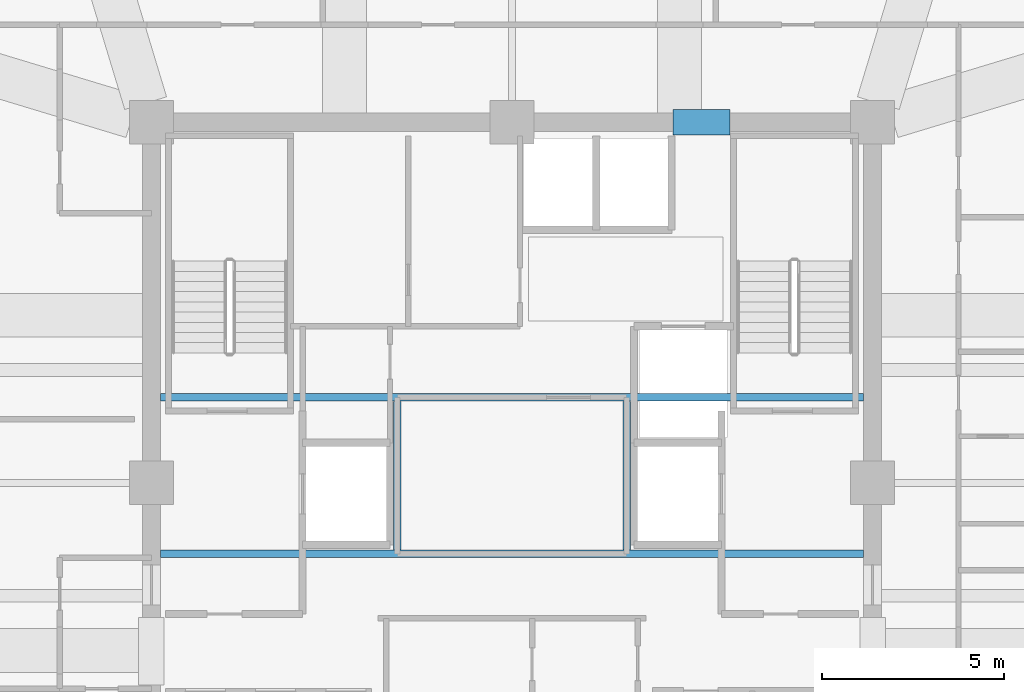
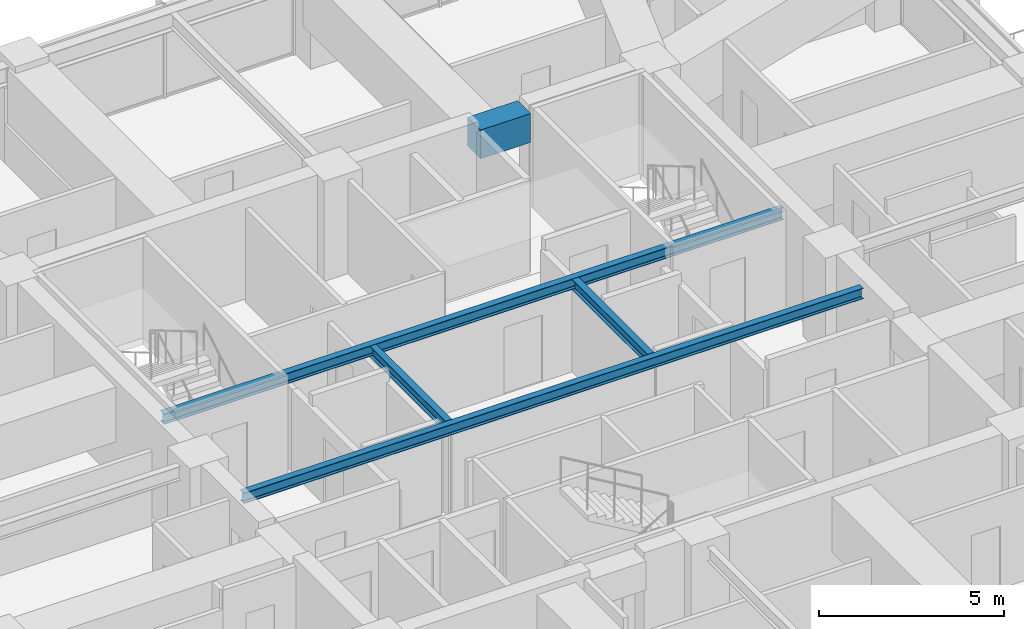
# One storey, part 13 of 36: 5 beams.
"""IFC4 building model written with IfcOpenShell, lengths in metres."""

from ifc_helpers import new_model, si_unit, direction, frame, origin, origin_2d, place, context, subcontext, project, spatial, rectangle, i_section, extrude, material, material_profile, profile_set, type_object, element, save


model = new_model("IFC4")

# Units and contexts
model_context = context("Model", 3, precision=1e-05, world=origin(), true_north=direction((0.0, 1.0)))
body_context = subcontext(model_context, "Body", "Model", "MODEL_VIEW")
ifc_project = project(units=[si_unit("LENGTHUNIT", "METRE"), si_unit("AREAUNIT", "SQUARE_METRE"), si_unit("VOLUMEUNIT", "CUBIC_METRE"), si_unit("PLANEANGLEUNIT", "RADIAN"), si_unit("MASSUNIT", "GRAM", prefix="KILO")], contexts=[model_context])

# Site, building, storey
site_placement = place(None, origin())
site = spatial("IfcSite", under=ifc_project, at=site_placement, CompositionType="ELEMENT")
building_placement = place(site_placement, origin())
building = spatial("IfcBuilding", under=site, at=building_placement, Name="Kolvaren Belvedere", CompositionType="ELEMENT")
storey_placement = place(building_placement, frame((0.0, 0.0, 108.5)))
storey = spatial("IfcBuildingStorey", under=building, at=storey_placement, Name="L31", CompositionType="ELEMENT", Elevation=108.5)

# Beams
ifc_material_1 = material(Name="Structural steel ASTM A992 Grade 50", Category="steel")
ifc_material_profile_1 = material_profile(ifc_material_1, i_section(OverallWidth=0.2041015625, OverallDepth=0.35009765625, WebThickness=0.008544921875, FlangeThickness=0.01513671875, FilletRadius=0.013916015625, at=origin_2d()), Name="W14X48")
ifc_profile_set_1 = profile_set([ifc_material_profile_1], Name="Structural steel ASTM A992 Grade 50")
beam_type_1 = type_object("IfcBeamType", Name="BM-ATRIUM-W14X48", PredefinedType="BEAM", material=ifc_profile_set_1)
for number, where, z_axis, x_axis, name in (
    (1, (-9.64990234375, -1.949951171875, 2.905029296875), (1.0, 0.0, 0.0), (0.0, 1.0, 0.0), "L31 Central Atrium South Girder AS"),
    (2, (-9.64990234375, 2.35009765625, 2.905029296875), (1.0, 0.0, 0.0), (0.0, 1.0, 0.0), "L31 Central Atrium North Girder AN"),
):
    element("IfcBeam", number, at=place(storey_placement, frame(where, z_axis=z_axis, x_axis=x_axis)), inside=storey, type_object=beam_type_1, Name=name, PredefinedType="BEAM", context=body_context, shape_type="SweptSolid", body=[
        extrude(i_section(OverallWidth=0.2041015625, OverallDepth=0.35009765625, WebThickness=0.008544921875, FlangeThickness=0.01513671875, FilletRadius=0.013916015625, at=origin_2d()), origin(), (0.0, 0.0, 1.0), 19.2998046875),
    ])
for number, where, z_axis, x_axis, name in (
    (3, (-3.14990234375, -1.840087890625, 2.905029296875), (0.0, 1.0, 0.0), (-1.0, 0.0, 0.0), "L31 Central Atrium West Edge Beam AW"),
    (4, (3.14990234375, -1.840087890625, 2.905029296875), (0.0, 1.0, 0.0), (-1.0, 0.0, 0.0), "L31 Central Atrium East Edge Beam AE"),
):
    element("IfcBeam", number, at=place(storey_placement, frame(where, z_axis=z_axis, x_axis=x_axis)), inside=storey, type_object=beam_type_1, Name=name, PredefinedType="BEAM", context=body_context, shape_type="SweptSolid", body=[
        extrude(i_section(OverallWidth=0.2041015625, OverallDepth=0.35009765625, WebThickness=0.008544921875, FlangeThickness=0.01513671875, FilletRadius=0.013916015625, at=origin_2d()), origin(), (0.0, 0.0, 1.0), 4.080078125),
    ])
ifc_material_2 = material(Name="Concrete C60/75", Category="concrete")
ifc_material_profile_2 = material_profile(ifc_material_2, rectangle(XDim=0.699951171875, YDim=0.949951171875, at=origin_2d()), Name="RC 700X950")
ifc_profile_set_2 = profile_set([ifc_material_profile_2], Name="Concrete C60/75")
beam_type_2 = type_object("IfcBeamType", Name="BM-LINT-950", PredefinedType="LINTEL", material=ifc_profile_set_2)
beam_placement = place(storey_placement, frame((4.419921875, 9.89990234375, 2.60498046875), z_axis=(1.0, 0.0, 0.0), x_axis=(0.0, 1.0, 0.0)))
element("IfcBeam", 5, at=beam_placement, inside=storey, type_object=beam_type_2, Name="L31 North Core Coupling Lintel", PredefinedType="LINTEL", context=body_context, shape_type="SweptSolid", body=[
    extrude(rectangle(XDim=0.699951171875, YDim=0.949951171875, at=origin_2d()), origin(), (0.0, 0.0, 1.0), 1.56005859375),
])

save(model, "model.ifc")
